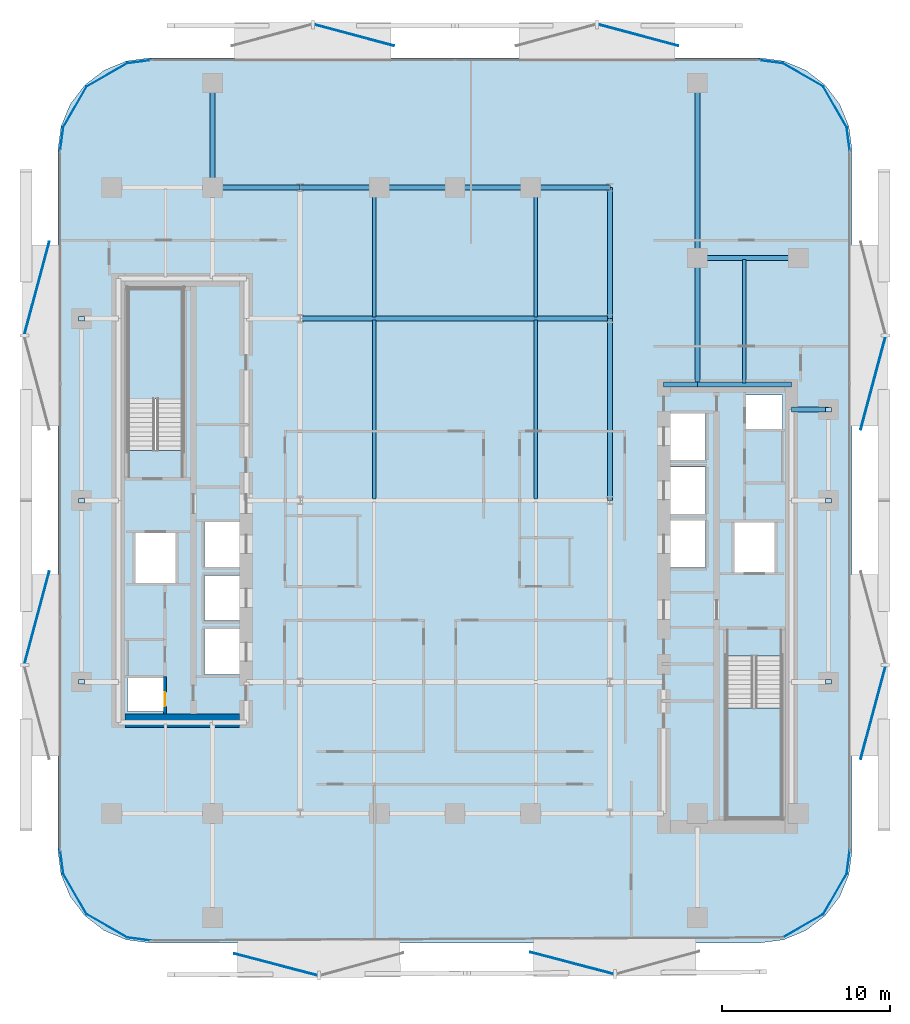
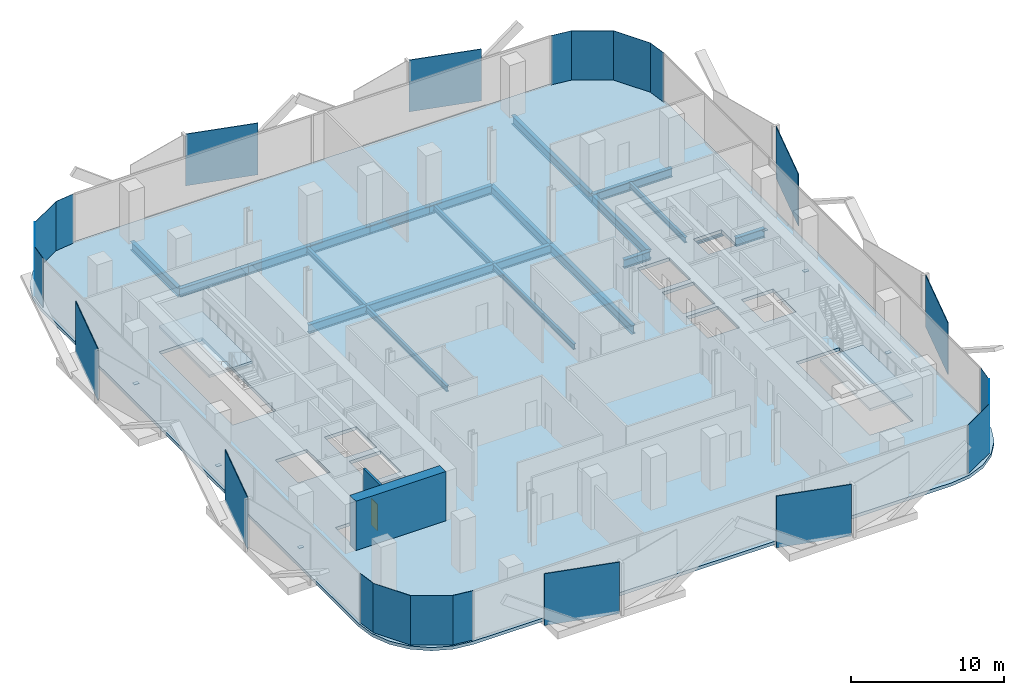
# One storey, part 2 of 15: 29 plates, 20 beams, 3 slabs, 2 walls, 1 door, 1 opening, 2 elements without a shape of their own.
"""IFC4 building model written with IfcOpenShell, lengths in metres."""

from ifc_helpers import new_model, si_unit, direction, frame, frame_2d, origin, origin_2d, place, context, subcontext, project, spatial, polyline, rectangle, i_section, outline, extrude, material, layer, layer_set, material_profile, profile_set, type_object, element, fill, aggregate, save


model = new_model("IFC4")

# Units and contexts
model_context = context("Model", 3, precision=1e-05, world=origin(), true_north=direction((0.0, 1.0)))
body_context = subcontext(model_context, "Body", "Model", "MODEL_VIEW")
ifc_project = project(units=[si_unit("LENGTHUNIT", "METRE"), si_unit("AREAUNIT", "SQUARE_METRE"), si_unit("VOLUMEUNIT", "CUBIC_METRE"), si_unit("PLANEANGLEUNIT", "RADIAN"), si_unit("MASSUNIT", "GRAM", prefix="KILO")], contexts=[model_context])

# Site, building, storey
site_placement = place(None, origin())
site = spatial("IfcSite", under=ifc_project, at=site_placement, CompositionType="ELEMENT")
building_placement = place(site_placement, origin())
building = spatial("IfcBuilding", under=site, at=building_placement, Name="Khairoan Windgate Tower", CompositionType="ELEMENT")
storey_placement = place(building_placement, frame((0.0, 0.0, 114.199951171875)))
storey = spatial("IfcBuildingStorey", under=building, at=storey_placement, Name="L26", CompositionType="ELEMENT", Elevation=114.199951171875)

# Beams
ifc_material_1 = material(Name="Steel S355", Category="steel")
ifc_material_profile_1 = material_profile(ifc_material_1, i_section(OverallWidth=0.300048828125, OverallDepth=0.699951171875, WebThickness=0.012939453125, FlangeThickness=0.02392578125, FilletRadius=0.02587890625, at=origin_2d()))
ifc_profile_set_1 = profile_set([ifc_material_profile_1], Name="Steel S355")
beam_type_1 = type_object("IfcBeamType", Name="Beam B-G3 H700x300x13x24", PredefinedType="BEAM", material=ifc_profile_set_1)
beam_1_placement = place(storey_placement, frame((20.0, 5.39990234375, -0.60986328125), z_axis=(1.0, 0.0, 0.0), x_axis=(0.0, 1.0, 0.0)))
element("IfcBeam", 1, at=beam_1_placement, inside=storey, type_object=beam_type_1, Name="L26 E-W Primary Girder 19", PredefinedType="BEAM", context=body_context, shape_type="SweptSolid", body=[
    extrude(i_section(OverallWidth=0.300048828125, OverallDepth=0.699951171875, WebThickness=0.012939453125, FlangeThickness=0.02392578125, FilletRadius=0.02587890625, at=origin_2d()), origin(), (0.0, 0.0, 1.0), 2.199951171875),
])
beam_2_placement = place(storey_placement, frame((12.39990234375, 6.89990234375, -0.60986328125), z_axis=(1.0, 0.0, 0.0), x_axis=(0.0, 1.0, 0.0)))
element("IfcBeam", 2, at=beam_2_placement, inside=storey, type_object=beam_type_1, Name="L26 E-W Primary Girder 20", PredefinedType="BEAM", context=body_context, shape_type="SweptSolid", body=[
    extrude(i_section(OverallWidth=0.300048828125, OverallDepth=0.699951171875, WebThickness=0.012939453125, FlangeThickness=0.02392578125, FilletRadius=0.02587890625, at=origin_2d()), origin(), (0.0, 0.0, 1.0), 2.0),
])
beam_3_placement = place(storey_placement, frame((14.39990234375, 6.89990234375, -0.60986328125), z_axis=(1.0, 0.0, 0.0), x_axis=(0.0, 1.0, 0.0)))
element("IfcBeam", 3, at=beam_3_placement, inside=storey, type_object=beam_type_1, Name="L26 E-W Primary Girder 21", PredefinedType="BEAM", context=body_context, shape_type="SweptSolid", body=[
    extrude(i_section(OverallWidth=0.300048828125, OverallDepth=0.699951171875, WebThickness=0.012939453125, FlangeThickness=0.02392578125, FilletRadius=0.02587890625, at=origin_2d()), origin(), (0.0, 0.0, 1.0), 5.60009765625),
])
beam_4_placement = place(storey_placement, frame((-9.199951171875, 10.800048828125, -0.60986328125), z_axis=(1.0, 0.0, 0.0), x_axis=(0.0, 1.0, 0.0)))
element("IfcBeam", 4, at=beam_4_placement, inside=storey, type_object=beam_type_1, Name="L26 E-W Primary Girder 24", PredefinedType="BEAM", context=body_context, shape_type="SweptSolid", body=[
    extrude(i_section(OverallWidth=0.300048828125, OverallDepth=0.699951171875, WebThickness=0.012939453125, FlangeThickness=0.02392578125, FilletRadius=0.02587890625, at=origin_2d()), origin(), (0.0, 0.0, 1.0), 18.39990234375),
])
beam_5_placement = place(storey_placement, frame((14.39990234375, 14.39990234375, -0.60986328125), z_axis=(1.0, 0.0, 0.0), x_axis=(0.0, 1.0, 0.0)))
element("IfcBeam", 5, at=beam_5_placement, inside=storey, type_object=beam_type_1, Name="L26 E-W Primary Girder 27", PredefinedType="BEAM", context=body_context, shape_type="SweptSolid", body=[
    extrude(i_section(OverallWidth=0.300048828125, OverallDepth=0.699951171875, WebThickness=0.012939453125, FlangeThickness=0.02392578125, FilletRadius=0.02587890625, at=origin_2d()), origin(), (0.0, 0.0, 1.0), 6.0),
])
beam_6_placement = place(storey_placement, frame((-14.39990234375, 18.60009765625, -0.60986328125), z_axis=(1.0, 0.0, 0.0), x_axis=(0.0, 1.0, 0.0)))
element("IfcBeam", 6, at=beam_6_placement, inside=storey, type_object=beam_type_1, Name="L26 E-W Primary Girder 29", PredefinedType="BEAM", context=body_context, shape_type="SweptSolid", body=[
    extrude(i_section(OverallWidth=0.300048828125, OverallDepth=0.699951171875, WebThickness=0.012939453125, FlangeThickness=0.02392578125, FilletRadius=0.02587890625, at=origin_2d()), origin(), (0.0, 0.0, 1.0), 5.199951171875),
])
beam_7_placement = place(storey_placement, frame((-9.199951171875, 18.60009765625, -0.60986328125), z_axis=(1.0, 0.0, 0.0), x_axis=(0.0, 1.0, 0.0)))
element("IfcBeam", 7, at=beam_7_placement, inside=storey, type_object=beam_type_1, Name="L26 E-W Primary Girder 30", PredefinedType="BEAM", context=body_context, shape_type="SweptSolid", body=[
    extrude(i_section(OverallWidth=0.300048828125, OverallDepth=0.699951171875, WebThickness=0.012939453125, FlangeThickness=0.02392578125, FilletRadius=0.02587890625, at=origin_2d()), origin(), (0.0, 0.0, 1.0), 4.699951171875),
])
for number, where, z_axis, x_axis, name in (
    (8, (-4.5, 18.60009765625, -0.60986328125), (1.0, 0.0, 0.0), (0.0, 1.0, 0.0), "L26 E-W Primary Girder 31"),
    (9, (0.0, 18.60009765625, -0.60986328125), (1.0, 0.0, 0.0), (0.0, 1.0, 0.0), "L26 E-W Primary Girder 32"),
):
    element("IfcBeam", number, at=place(storey_placement, frame(where, z_axis=z_axis, x_axis=x_axis)), inside=storey, type_object=beam_type_1, Name=name, PredefinedType="BEAM", context=body_context, shape_type="SweptSolid", body=[
        extrude(i_section(OverallWidth=0.300048828125, OverallDepth=0.699951171875, WebThickness=0.012939453125, FlangeThickness=0.02392578125, FilletRadius=0.02587890625, at=origin_2d()), origin(), (0.0, 0.0, 1.0), 4.5),
    ])
beam_8_placement = place(storey_placement, frame((4.5, 18.60009765625, -0.60986328125), z_axis=(1.0, 0.0, 0.0), x_axis=(0.0, 1.0, 0.0)))
element("IfcBeam", 10, at=beam_8_placement, inside=storey, type_object=beam_type_1, Name="L26 E-W Primary Girder 33", PredefinedType="BEAM", context=body_context, shape_type="SweptSolid", body=[
    extrude(i_section(OverallWidth=0.300048828125, OverallDepth=0.699951171875, WebThickness=0.012939453125, FlangeThickness=0.02392578125, FilletRadius=0.02587890625, at=origin_2d()), origin(), (0.0, 0.0, 1.0), 4.699951171875),
])
beam_9_placement = place(storey_placement, frame((-14.39990234375, 18.60009765625, -0.60986328125), z_axis=(0.0, 1.0, 0.0), x_axis=(-1.0, 0.0, 0.0)))
element("IfcBeam", 11, at=beam_9_placement, inside=storey, type_object=beam_type_1, Name="L26 N-S Primary Beam 43", PredefinedType="BEAM", context=body_context, shape_type="SweptSolid", body=[
    extrude(i_section(OverallWidth=0.300048828125, OverallDepth=0.699951171875, WebThickness=0.012939453125, FlangeThickness=0.02392578125, FilletRadius=0.02587890625, at=origin_2d()), origin(), (0.0, 0.0, 1.0), 6.199951171875),
])
beam_10_placement = place(storey_placement, frame((9.199951171875, 0.0, -0.60986328125), z_axis=(0.0, 1.0, 0.0), x_axis=(-1.0, 0.0, 0.0)))
element("IfcBeam", 12, at=beam_10_placement, inside=storey, type_object=beam_type_1, Name="L26 N-S Primary Beam 53", PredefinedType="BEAM", context=body_context, shape_type="SweptSolid", body=[
    extrude(i_section(OverallWidth=0.300048828125, OverallDepth=0.699951171875, WebThickness=0.012939453125, FlangeThickness=0.02392578125, FilletRadius=0.02587890625, at=origin_2d()), origin(), (0.0, 0.0, 1.0), 10.800048828125),
])
beam_11_placement = place(storey_placement, frame((9.199951171875, 10.800048828125, -0.60986328125), z_axis=(0.0, 1.0, 0.0), x_axis=(-1.0, 0.0, 0.0)))
element("IfcBeam", 13, at=beam_11_placement, inside=storey, type_object=beam_type_1, Name="L26 N-S Primary Beam 54", PredefinedType="BEAM", context=body_context, shape_type="SweptSolid", body=[
    extrude(i_section(OverallWidth=0.300048828125, OverallDepth=0.699951171875, WebThickness=0.012939453125, FlangeThickness=0.02392578125, FilletRadius=0.02587890625, at=origin_2d()), origin(), (0.0, 0.0, 1.0), 7.800048828125),
])
beam_12_placement = place(storey_placement, frame((14.39990234375, 6.89990234375, -0.60986328125), z_axis=(0.0, 1.0, 0.0), x_axis=(-1.0, 0.0, 0.0)))
element("IfcBeam", 14, at=beam_12_placement, inside=storey, type_object=beam_type_1, Name="L26 N-S Primary Beam 57", PredefinedType="BEAM", context=body_context, shape_type="SweptSolid", body=[
    extrude(i_section(OverallWidth=0.300048828125, OverallDepth=0.699951171875, WebThickness=0.012939453125, FlangeThickness=0.02392578125, FilletRadius=0.02587890625, at=origin_2d()), origin(), (0.0, 0.0, 1.0), 7.5),
])
beam_13_placement = place(storey_placement, frame((14.39990234375, 14.39990234375, -0.60986328125), z_axis=(0.0, 1.0, 0.0), x_axis=(-1.0, 0.0, 0.0)))
element("IfcBeam", 15, at=beam_13_placement, inside=storey, type_object=beam_type_1, Name="L26 N-S Primary Beam 58", PredefinedType="BEAM", context=body_context, shape_type="SweptSolid", body=[
    extrude(i_section(OverallWidth=0.300048828125, OverallDepth=0.699951171875, WebThickness=0.012939453125, FlangeThickness=0.02392578125, FilletRadius=0.02587890625, at=origin_2d()), origin(), (0.0, 0.0, 1.0), 10.400146484375),
])
ifc_material_2 = material(Name="Steel S355", Category="steel")
ifc_material_profile_2 = material_profile(ifc_material_2, i_section(OverallWidth=0.199951171875, OverallDepth=0.449951171875, WebThickness=0.009033203125, FlangeThickness=0.013916015625, FilletRadius=0.01806640625, at=origin_2d()))
ifc_profile_set_2 = profile_set([ifc_material_profile_2], Name="Steel S355")
beam_type_2 = type_object("IfcBeamType", Name="Beam J-S3 H450x200x9x14", PredefinedType="JOIST", material=ifc_profile_set_2)
beam_14_placement = place(storey_placement, frame((-4.800048828125, 0.090087890625, -0.48486328125), z_axis=(0.0, 1.0, 0.0), x_axis=(-1.0, 0.0, 0.0)))
element("IfcBeam", 16, at=beam_14_placement, inside=storey, type_object=beam_type_2, Name="L26 Secondary Floor Joist 05", PredefinedType="JOIST", context=body_context, shape_type="SweptSolid", body=[
    extrude(i_section(OverallWidth=0.199951171875, OverallDepth=0.449951171875, WebThickness=0.009033203125, FlangeThickness=0.013916015625, FilletRadius=0.01806640625, at=origin_2d()), origin(), (0.0, 0.0, 1.0), 10.619873046875),
])
beam_15_placement = place(storey_placement, frame((-4.800048828125, 10.889892578125, -0.48486328125), z_axis=(0.0, 1.0, 0.0), x_axis=(-1.0, 0.0, 0.0)))
element("IfcBeam", 17, at=beam_15_placement, inside=storey, type_object=beam_type_2, Name="L26 Secondary Floor Joist 06", PredefinedType="JOIST", context=body_context, shape_type="SweptSolid", body=[
    extrude(i_section(OverallWidth=0.199951171875, OverallDepth=0.449951171875, WebThickness=0.009033203125, FlangeThickness=0.013916015625, FilletRadius=0.01806640625, at=origin_2d()), origin(), (0.0, 0.0, 1.0), 7.6201171875),
])
beam_16_placement = place(storey_placement, frame((4.800048828125, 0.090087890625, -0.48486328125), z_axis=(0.0, 1.0, 0.0), x_axis=(-1.0, 0.0, 0.0)))
element("IfcBeam", 18, at=beam_16_placement, inside=storey, type_object=beam_type_2, Name="L26 Secondary Floor Joist 09", PredefinedType="JOIST", context=body_context, shape_type="SweptSolid", body=[
    extrude(i_section(OverallWidth=0.199951171875, OverallDepth=0.449951171875, WebThickness=0.009033203125, FlangeThickness=0.013916015625, FilletRadius=0.01806640625, at=origin_2d()), origin(), (0.0, 0.0, 1.0), 10.619873046875),
])
beam_17_placement = place(storey_placement, frame((4.800048828125, 10.889892578125, -0.48486328125), z_axis=(0.0, 1.0, 0.0), x_axis=(-1.0, 0.0, 0.0)))
element("IfcBeam", 19, at=beam_17_placement, inside=storey, type_object=beam_type_2, Name="L26 Secondary Floor Joist 10", PredefinedType="JOIST", context=body_context, shape_type="SweptSolid", body=[
    extrude(i_section(OverallWidth=0.199951171875, OverallDepth=0.449951171875, WebThickness=0.009033203125, FlangeThickness=0.013916015625, FilletRadius=0.01806640625, at=origin_2d()), origin(), (0.0, 0.0, 1.0), 7.6201171875),
])
beam_18_placement = place(storey_placement, frame((17.199951171875, 6.989990234375, -0.48486328125), z_axis=(0.0, 1.0, 0.0), x_axis=(-1.0, 0.0, 0.0)))
element("IfcBeam", 20, at=beam_18_placement, inside=storey, type_object=beam_type_2, Name="L26 Secondary Floor Joist 11", PredefinedType="JOIST", context=body_context, shape_type="SweptSolid", body=[
    extrude(i_section(OverallWidth=0.199951171875, OverallDepth=0.449951171875, WebThickness=0.009033203125, FlangeThickness=0.013916015625, FilletRadius=0.01806640625, at=origin_2d()), origin(), (0.0, 0.0, 1.0), 7.320068359375),
])

# Plates
ifc_material_3 = material(Name="Low-E Solar Control Laminated Glass", Category="glass")
ifc_layer_1 = layer(ifc_material_3, 0.030029296875, Name="Low-E Solar Control Laminated Glass")
ifc_layer_set_1 = layer_set([ifc_layer_1], Name="Low-E Solar Control Laminated Glass")
plate_type_1 = type_object("IfcPlateType", Name="Aerodynamic Wind-Corner Curved Glazing Plate", PredefinedType="USERDEFINED", material=ifc_layer_set_1)
plate_placement = place(storey_placement, frame((-18.788818359375, -26.068115234375, 0.0), z_axis=(0.0, 0.0, 1.0), x_axis=(-0.991444861374, 0.13052619222, 0.0)))
element("IfcPlate", 21, at=plate_placement, inside=storey, type_object=plate_type_1, Name="L26 Aerodynamic Wind-Corner Curved Glazing Panel 2", ObjectType="GLAZING PANEL", PredefinedType="USERDEFINED", context=body_context, shape_type="SweptSolid", body=[
    extrude(rectangle(XDim=1.4482421875, YDim=0.028076171875, at=origin_2d()), origin(), (0.0, 0.0, 1.0), 3.93994140625),
])
for number, where, z_axis, x_axis, name in (
    (22, (-20.688232421875, -25.28271484375, 0.0), (0.0, 0.0, 1.0), (-0.866025403784, 0.5, 0.0), "L26 Aerodynamic Wind-Corner Curved Glazing Panel 3"),
    (23, (-22.582763671875, -23.38818359375, 0.0), (0.0, 0.0, 1.0), (-0.5, 0.866025403784, 0.0), "L26 Aerodynamic Wind-Corner Curved Glazing Panel 4"),
):
    element("IfcPlate", number, at=place(storey_placement, frame(where, z_axis=z_axis, x_axis=x_axis)), inside=storey, type_object=plate_type_1, Name=name, ObjectType="GLAZING PANEL", PredefinedType="USERDEFINED", context=body_context, shape_type="SweptSolid", body=[
        extrude(rectangle(XDim=2.81396484375, YDim=0.028076171875, at=origin_2d()), origin(), (0.0, 0.0, 1.0), 3.93994140625),
    ])
for number, where, z_axis, x_axis, name in (
    (24, (-23.3681640625, -21.489013671875, 0.0), (0.0, 0.0, 1.0), (-0.13052619222, 0.991444861374, 0.0), "L26 Aerodynamic Wind-Corner Curved Glazing Panel 5"),
    (25, (-23.3681640625, 21.489013671875, 0.0), (0.0, 0.0, 1.0), (0.13052619222, 0.991444861374, 0.0), "L26 Aerodynamic Wind-Corner Curved Glazing Panel 7"),
):
    element("IfcPlate", number, at=place(storey_placement, frame(where, z_axis=z_axis, x_axis=x_axis)), inside=storey, type_object=plate_type_1, Name=name, ObjectType="GLAZING PANEL", PredefinedType="USERDEFINED", context=body_context, shape_type="SweptSolid", body=[
        extrude(rectangle(XDim=1.4482421875, YDim=0.028076171875, at=origin_2d()), origin(), (0.0, 0.0, 1.0), 3.93994140625),
    ])
for number, where, z_axis, x_axis, name in (
    (26, (-22.582763671875, 23.38818359375, 0.0), (0.0, 0.0, 1.0), (0.5, 0.866025403784, 0.0), "L26 Aerodynamic Wind-Corner Curved Glazing Panel 8"),
    (27, (-20.688232421875, 25.28271484375, 0.0), (0.0, 0.0, 1.0), (0.866025403784, 0.5, 0.0), "L26 Aerodynamic Wind-Corner Curved Glazing Panel 9"),
):
    element("IfcPlate", number, at=place(storey_placement, frame(where, z_axis=z_axis, x_axis=x_axis)), inside=storey, type_object=plate_type_1, Name=name, ObjectType="GLAZING PANEL", PredefinedType="USERDEFINED", context=body_context, shape_type="SweptSolid", body=[
        extrude(rectangle(XDim=2.81396484375, YDim=0.028076171875, at=origin_2d()), origin(), (0.0, 0.0, 1.0), 3.93994140625),
    ])
for number, where, z_axis, x_axis, name in (
    (28, (-18.788818359375, 26.068115234375, 0.0), (0.0, 0.0, 1.0), (0.991444861374, 0.13052619222, 0.0), "L26 Aerodynamic Wind-Corner Curved Glazing Panel 10"),
    (29, (18.788818359375, 26.068115234375, 0.0), (0.0, 0.0, 1.0), (0.991444861374, -0.13052619222, 0.0), "L26 Aerodynamic Wind-Corner Curved Glazing Panel 12"),
):
    element("IfcPlate", number, at=place(storey_placement, frame(where, z_axis=z_axis, x_axis=x_axis)), inside=storey, type_object=plate_type_1, Name=name, ObjectType="GLAZING PANEL", PredefinedType="USERDEFINED", context=body_context, shape_type="SweptSolid", body=[
        extrude(rectangle(XDim=1.4482421875, YDim=0.028076171875, at=origin_2d()), origin(), (0.0, 0.0, 1.0), 3.93994140625),
    ])
for number, where, z_axis, x_axis, name in (
    (30, (20.688232421875, 25.28271484375, 0.0), (0.0, 0.0, 1.0), (0.866025403784, -0.5, 0.0), "L26 Aerodynamic Wind-Corner Curved Glazing Panel 13"),
    (31, (22.582763671875, 23.38818359375, 0.0), (0.0, 0.0, 1.0), (0.5, -0.866025403784, 0.0), "L26 Aerodynamic Wind-Corner Curved Glazing Panel 14"),
):
    element("IfcPlate", number, at=place(storey_placement, frame(where, z_axis=z_axis, x_axis=x_axis)), inside=storey, type_object=plate_type_1, Name=name, ObjectType="GLAZING PANEL", PredefinedType="USERDEFINED", context=body_context, shape_type="SweptSolid", body=[
        extrude(rectangle(XDim=2.81396484375, YDim=0.028076171875, at=origin_2d()), origin(), (0.0, 0.0, 1.0), 3.93994140625),
    ])
for number, where, z_axis, x_axis, name in (
    (32, (23.3681640625, 21.489013671875, 0.0), (0.0, 0.0, 1.0), (0.13052619222, -0.991444861374, 0.0), "L26 Aerodynamic Wind-Corner Curved Glazing Panel 15"),
    (33, (23.3681640625, -21.489013671875, 0.0), (0.0, 0.0, 1.0), (-0.13052619222, -0.991444861374, 0.0), "L26 Aerodynamic Wind-Corner Curved Glazing Panel 17"),
):
    element("IfcPlate", number, at=place(storey_placement, frame(where, z_axis=z_axis, x_axis=x_axis)), inside=storey, type_object=plate_type_1, Name=name, ObjectType="GLAZING PANEL", PredefinedType="USERDEFINED", context=body_context, shape_type="SweptSolid", body=[
        extrude(rectangle(XDim=1.4482421875, YDim=0.028076171875, at=origin_2d()), origin(), (0.0, 0.0, 1.0), 3.93994140625),
    ])
for number, where, z_axis, x_axis, name in (
    (34, (22.582763671875, -23.38818359375, 0.0), (0.0, 0.0, 1.0), (-0.5, -0.866025403784, 0.0), "L26 Aerodynamic Wind-Corner Curved Glazing Panel 18"),
    (35, (20.688232421875, -25.28271484375, 0.0), (0.0, 0.0, 1.0), (-0.866025403784, -0.5, 0.0), "L26 Aerodynamic Wind-Corner Curved Glazing Panel 19"),
):
    element("IfcPlate", number, at=place(storey_placement, frame(where, z_axis=z_axis, x_axis=x_axis)), inside=storey, type_object=plate_type_1, Name=name, ObjectType="GLAZING PANEL", PredefinedType="USERDEFINED", context=body_context, shape_type="SweptSolid", body=[
        extrude(rectangle(XDim=2.81396484375, YDim=0.028076171875, at=origin_2d()), origin(), (0.0, 0.0, 1.0), 3.93994140625),
    ])
ifc_material_4 = material(Name="Steel S355", Category="steel")
ifc_layer_2 = layer(ifc_material_4, 0.0400390625, Name="Steel S355")
ifc_layer_set_2 = layer_set([ifc_layer_2], Name="Steel S355")
plate_type_2 = type_object("IfcPlateType", Name="Hollow Section End-Cap Plate PL-CAP40", PredefinedType="SHEET", material=ifc_layer_set_2)
for number, where, z_axis, x_axis, name in (
    (36, (-22.199951171875, -10.784912109375, -0.455078125), (0.0, 0.0, 1.0), (0.0, 1.0, 0.0), "BM-SP-L26-034 steel end-cap plate 1"),
    (37, (-22.199951171875, -0.014892578125, -0.455078125), (0.0, 0.0, 1.0), (0.0, 1.0, 0.0), "BM-SP-L26-034 steel end-cap plate 2"),
    (38, (-22.199951171875, 10.784912109375, -0.455078125), (0.0, 0.0, 1.0), (0.0, 1.0, 0.0), "BM-SP-L26-035 steel end-cap plate 2"),
    (39, (22.199951171875, -10.784912109375, -0.455078125), (0.0, 0.0, 1.0), (0.0, 1.0, 0.0), "BM-SP-L26-062 steel end-cap plate 1"),
    (40, (22.199951171875, -0.014892578125, -0.455078125), (0.0, 0.0, 1.0), (0.0, 1.0, 0.0), "BM-SP-L26-062 steel end-cap plate 2"),
    (41, (22.199951171875, 5.385009765625, -0.455078125), (0.0, 0.0, 1.0), (0.0, 1.0, 0.0), "BM-SP-L26-063 steel end-cap plate 2"),
):
    element("IfcPlate", number, at=place(storey_placement, frame(where, z_axis=z_axis, x_axis=x_axis)), inside=storey, type_object=plate_type_2, Name=name, PredefinedType="SHEET", context=body_context, shape_type="SweptSolid", body=[
        extrude(rectangle(XDim=0.27001953125, YDim=0.3701171875, at=origin_2d()), origin(), (0.0, 0.0, 1.0), 0.0400390625),
    ])
ifc_material_5 = material(Name="Anodised Bronze Aluminium 6063-T6", Category="aluminium")
ifc_layer_3 = layer(ifc_material_5, 0.054931640625, Name="Anodised Bronze Aluminium 6063-T6")
ifc_layer_set_3 = layer_set([ifc_layer_3], Name="Anodised Bronze Aluminium 6063-T6")
plate_type_3 = type_object("IfcPlateType", Name="Perforated Bronze Solar Screen Panel BSP-1", PredefinedType="USERDEFINED", material=ifc_layer_set_3)
for number, where, z_axis, x_axis, name in (
    (42, (6.946044921875, -27.497314453125, -0.10009765625), (0.0, 0.0, 1.0), (-0.967179115616, 0.254095569259, 0.0), "L26 Perforated Bronze Solar Screen Panel 153R"),
    (43, (-10.642822265625, -27.58349609375, -0.10009765625), (0.0, 0.0, 1.0), (-0.967179115616, 0.254095569259, 0.0), "L26 Perforated Bronze Solar Screen Panel 154R"),
):
    element("IfcPlate", number, at=place(storey_placement, frame(where, z_axis=z_axis, x_axis=x_axis)), inside=storey, type_object=plate_type_3, Name=name, ObjectType="SCREEN", PredefinedType="USERDEFINED", context=body_context, shape_type="SweptSolid", body=[
        extrude(rectangle(XDim=5.10107421875, YDim=0.054931640625, at=origin_2d()), origin(), (0.0, 0.0, 1.0), 4.139892578125),
    ])
for number, where, z_axis, x_axis, name in (
    (44, (-24.8447265625, -6.961669921875, -0.10009765625), (0.0, 0.0, 1.0), (0.258819045103, 0.965925826289, 0.0), "L26 Perforated Bronze Solar Screen Panel 155R"),
    (45, (-24.8447265625, 12.629150390625, -0.10009765625), (0.0, 0.0, 1.0), (0.258819045103, 0.965925826289, 0.0), "L26 Perforated Bronze Solar Screen Panel 156R"),
):
    element("IfcPlate", number, at=place(storey_placement, frame(where, z_axis=z_axis, x_axis=x_axis)), inside=storey, type_object=plate_type_3, Name=name, ObjectType="SCREEN", PredefinedType="USERDEFINED", context=body_context, shape_type="SweptSolid", body=[
        extrude(rectangle(XDim=5.680908203125, YDim=0.054931640625, at=origin_2d()), origin(), (0.0, 0.0, 1.0), 4.139892578125),
    ])
for number, where, z_axis, x_axis, name in (
    (46, (-5.98974609375, 27.646240234375, -0.10009765625), (0.0, 0.0, 1.0), (0.965925826289, -0.258819045103, 0.0), "L26 Perforated Bronze Solar Screen Panel 157R"),
    (47, (10.90087890625, 27.646240234375, -0.10009765625), (0.0, 0.0, 1.0), (0.965925826289, -0.258819045103, 0.0), "L26 Perforated Bronze Solar Screen Panel 158R"),
):
    element("IfcPlate", number, at=place(storey_placement, frame(where, z_axis=z_axis, x_axis=x_axis)), inside=storey, type_object=plate_type_3, Name=name, ObjectType="SCREEN", PredefinedType="USERDEFINED", context=body_context, shape_type="SweptSolid", body=[
        extrude(rectangle(XDim=4.89794921875, YDim=0.054931640625, at=origin_2d()), origin(), (0.0, 0.0, 1.0), 4.139892578125),
    ])
for number, where, z_axis, x_axis, name in (
    (48, (24.8447265625, 6.961669921875, -0.10009765625), (0.0, 0.0, 1.0), (-0.258819045103, -0.965925826289, 0.0), "L26 Perforated Bronze Solar Screen Panel 159R"),
    (49, (24.8447265625, -12.629150390625, -0.10009765625), (0.0, 0.0, 1.0), (-0.258819045103, -0.965925826289, 0.0), "L26 Perforated Bronze Solar Screen Panel 160R"),
):
    element("IfcPlate", number, at=place(storey_placement, frame(where, z_axis=z_axis, x_axis=x_axis)), inside=storey, type_object=plate_type_3, Name=name, ObjectType="SCREEN", PredefinedType="USERDEFINED", context=body_context, shape_type="SweptSolid", body=[
        extrude(rectangle(XDim=5.680908203125, YDim=0.054931640625, at=origin_2d()), origin(), (0.0, 0.0, 1.0), 4.139892578125),
    ])

# Stair, slab
ifc_material_6 = material(Name="Concrete C40/50", Category="concrete")
stair_type = type_object("IfcStairType", Name="Tower Core Dog-Leg Stair ST-T1 1560mm", PredefinedType="HALF_TURN_STAIR", material=ifc_material_6)
stair_1_placement = place(storey_placement, origin())
stair_1 = element("IfcStair", 50, at=stair_1_placement, inside=storey, type_object=stair_type, Name="L26 Stair ST1", PredefinedType="HALF_TURN_STAIR")
ifc_material_7 = material(Name="Concrete C40/50", Category="concrete")
ifc_layer_4 = layer(ifc_material_7, 0.199951171875, Name="Concrete C40/50")
ifc_layer_set_4 = layer_set([ifc_layer_4], Name="Concrete C40/50")
slab_type_1 = type_object("IfcSlabType", Name="Reinforced Concrete Stair Landing Slab STL-200", PredefinedType="LANDING", material=ifc_layer_set_4)
slab_1_placement = place(storey_placement, frame((0.0, 0.0, 1.900146484375)))
slab_1 = element("IfcSlab", 51, at=slab_1_placement, type_object=slab_type_1, Name="ST1 landing 1", PredefinedType="LANDING", context=body_context, shape_type="SweptSolid", body=[
    extrude(outline(polyline([(16.14990234375, -12.340087890625), (16.14990234375, -18.89990234375), (19.419921875, -18.89990234375), (19.419921875, -12.340087890625), (16.14990234375, -12.340087890625)])), origin(), (0.0, 0.0, 1.0), 0.199951171875),
])
aggregate(stair_1, [slab_1])

stair_2_placement = place(storey_placement, origin())
stair_2 = element("IfcStair", 52, at=stair_2_placement, inside=storey, type_object=stair_type, Name="L26 Stair ST2", PredefinedType="HALF_TURN_STAIR")
slab_2_placement = place(storey_placement, frame((0.0, 0.0, 1.900146484375)))
slab_2 = element("IfcSlab", 53, at=slab_2_placement, type_object=slab_type_1, Name="ST2 landing 1", PredefinedType="LANDING", context=body_context, shape_type="SweptSolid", body=[
    extrude(outline(polyline([(-16.14990234375, 6.0400390625), (-16.14990234375, 12.60009765625), (-19.419921875, 12.60009765625), (-19.419921875, 6.0400390625), (-16.14990234375, 6.0400390625)])), origin(), (0.0, 0.0, 1.0), 0.199951171875),
])
aggregate(stair_2, [slab_2])

# Slab
ifc_material_8 = material(Name="Concrete C40/50", Category="concrete")
ifc_layer_5 = layer(ifc_material_8, 0.260009765625, Name="Concrete C40/50")
ifc_layer_set_5 = layer_set([ifc_layer_5], Name="Concrete C40/50")
slab_type_2 = type_object("IfcSlabType", Name="Tower Composite Floor Slab FS2 260mm", PredefinedType="FLOOR", material=ifc_layer_set_5)
slab_3_placement = place(storey_placement, frame((0.0, 0.0, -0.260009765625)))
element("IfcSlab", 54, at=slab_3_placement, inside=storey, type_object=slab_type_2, Name="L26 Structural Floor Slab", PredefinedType="FLOOR", context=body_context, shape_type="SweptSolid", body=[
    extrude(outline(polyline([(18.10009765625, -26.300048828125), (19.5234375, -26.112548828125), (20.85009765625, -25.56298828125), (21.989013671875, -24.689208984375), (22.863037109375, -23.550048828125), (23.41259765625, -22.223388671875), (23.60009765625, -20.800048828125), (23.60009765625, 20.800048828125), (23.41259765625, 22.223388671875), (22.863037109375, 23.550048828125), (21.989013671875, 24.689208984375), (20.85009765625, 25.56298828125), (19.5234375, 26.112548828125), (18.10009765625, 26.300048828125), (-18.10009765625, 26.300048828125), (-19.5234375, 26.112548828125), (-20.85009765625, 25.56298828125), (-21.989013671875, 24.689208984375), (-22.863037109375, 23.550048828125), (-23.41259765625, 22.223388671875), (-23.60009765625, 20.800048828125), (-23.60009765625, -20.800048828125), (-23.41259765625, -22.223388671875), (-22.863037109375, -23.550048828125), (-21.989013671875, -24.689208984375), (-20.85009765625, -25.56298828125), (-19.5234375, -26.112548828125), (-18.10009765625, -26.300048828125), (18.10009765625, -26.300048828125)]), holes=[polyline([(16.14990234375, -9.260009765625), (16.14990234375, -18.89990234375), (19.419921875, -18.89990234375), (19.419921875, -9.260009765625), (16.14990234375, -9.260009765625)]), polyline([(-16.14990234375, 2.9599609375), (-16.14990234375, 12.60009765625), (-19.419921875, 12.60009765625), (-19.419921875, 2.9599609375), (-16.14990234375, 2.9599609375)]), polyline([(-14.89990234375, -3.949951171875), (-12.5, -3.949951171875), (-12.5, -1.25), (-14.89990234375, -1.25), (-14.89990234375, -3.949951171875)]), polyline([(-14.89990234375, -7.14990234375), (-12.5, -7.14990234375), (-12.5, -4.449951171875), (-14.89990234375, -4.449951171875), (-14.89990234375, -7.14990234375)]), polyline([(-14.89990234375, -10.35009765625), (-12.5, -10.35009765625), (-12.5, -7.64990234375), (-14.89990234375, -7.64990234375), (-14.89990234375, -10.35009765625)]), polyline([(12.5, 2.39990234375), (14.89990234375, 2.39990234375), (14.89990234375, 5.199951171875), (12.5, 5.199951171875), (12.5, 2.39990234375)]), polyline([(12.5, -0.800048828125), (14.89990234375, -0.800048828125), (14.89990234375, 2.0), (12.5, 2.0), (12.5, -0.800048828125)]), polyline([(12.5, -4.0), (14.89990234375, -4.0), (14.89990234375, -1.199951171875), (12.5, -1.199951171875), (12.5, -4.0)]), polyline([(16.60009765625, -4.300048828125), (19.0, -4.300048828125), (19.0, -1.300048828125), (16.60009765625, -1.300048828125), (16.60009765625, -4.300048828125)]), polyline([(-19.0, -4.89990234375), (-16.60009765625, -4.89990234375), (-16.60009765625, -1.89990234375), (-19.0, -1.89990234375), (-19.0, -4.89990234375)]), polyline([(-19.449951171875, -12.550048828125), (-17.31005859375, -12.550048828125), (-17.31005859375, -10.550048828125), (-19.449951171875, -10.550048828125), (-19.449951171875, -12.550048828125)]), polyline([(17.31005859375, 4.25), (19.449951171875, 4.25), (19.449951171875, 6.25), (17.31005859375, 6.25), (17.31005859375, 4.25)])]), origin(), (0.0, 0.0, 1.0), 0.260009765625),
])

# Wall, opening, door
ifc_material_9 = material(Name="Concrete C40/50", Category="concrete")
ifc_layer_6 = layer(ifc_material_9, 0.159912109375, Name="Concrete C40/50")
ifc_layer_set_6 = layer_set([ifc_layer_6], Name="Concrete C40/50")
wall_type_1 = type_object("IfcWallType", Name="Plant and Refuge Compartment Wall", PredefinedType="PARTITIONING", material=ifc_layer_set_6)
wall_1_placement = place(storey_placement, frame((-17.22998046875, -12.699951171875, 0.0), z_axis=(0.0, 0.0, 1.0), x_axis=(0.0, 1.0, 0.0)))
wall_1 = element("IfcWall", 55, at=wall_1_placement, inside=storey, type_object=wall_type_1, Name="L26 Interior Partition 001", PredefinedType="PARTITIONING", context=body_context, shape_type="SweptSolid", body=[
    extrude(rectangle(XDim=2.22998046875, YDim=0.159912109375, at=frame_2d((1.114990234375, 0.0))), origin(), (0.0, 0.0, 1.0), 3.93994140625),
])
opening_placement = place(wall_1_placement, frame((0.4599609375, 0.0, 0.0)))
opening = element("IfcOpeningElement", 56, at=opening_placement, cuts=wall_1, Name="Opening FD-SRV", PredefinedType="OPENING", context=body_context, shape_type="SweptSolid", body=[
    extrude(rectangle(XDim=0.85009765625, YDim=2.10009765625, at=frame_2d((0.425048828125, 1.050048828125))), frame((0.0, 0.08984375, 0.0), z_axis=(0.0, -1.0, 0.0), x_axis=(1.0, 0.0, 0.0)), (0.0, 0.0, 1.0), 0.179931640625),
])
ifc_material_10 = material(Name="Steel S355", Category="steel")
door_type = type_object("IfcDoorType", Name="Core Service and Riser Fire Door FD-SRV 850x2100", OperationType="NOTDEFINED", PredefinedType="DOOR", material=ifc_material_10)
door_placement = place(opening_placement, origin())
door = element("IfcDoor", 57, at=door_placement, inside=storey, type_object=door_type, Name="L26 L26-04-L26-05 Door", OperationType="SINGLE_SWING_RIGHT", OverallHeight=2.10009765625, OverallWidth=0.85009765625, PredefinedType="DOOR", context=body_context, shape_type="SweptSolid", body=[
    extrude(rectangle(XDim=0.85009765625, YDim=2.10009765625, at=frame_2d((0.425048828125, 1.050048828125))), frame((0.0, 0.02490234375, 0.0), z_axis=(0.0, -1.0, 0.0), x_axis=(1.0, 0.0, 0.0)), (0.0, 0.0, 1.0), 0.050048828125),
])
fill(opening, door)

# Wall
ifc_material_11 = material(Name="Concrete C70/85", Category="concrete")
ifc_layer_7 = layer(ifc_material_11, 0.800048828125, Name="Concrete C70/85")
ifc_layer_set_7 = layer_set([ifc_layer_7], Name="Concrete C70/85")
wall_type_2 = type_object("IfcWallType", Name="Shear Wall CW-W1 800mm", PredefinedType="SHEAR", material=ifc_layer_set_7)
wall_2_placement = place(storey_placement, frame((-19.60009765625, -13.10009765625, 0.0), z_axis=(0.0, 0.0, 1.0), x_axis=(1.0, 0.0, 0.0)))
element("IfcWall", 58, at=wall_2_placement, inside=storey, type_object=wall_type_2, Name="W Core South Shear Wall L26", PredefinedType="SHEAR", context=body_context, shape_type="SweptSolid", body=[
    extrude(rectangle(XDim=6.800048828125, YDim=0.800048828125, at=frame_2d((3.39990234375, 0.0))), origin(), (0.0, 0.0, 1.0), 3.93994140625),
])

save(model, "model.ifc")
